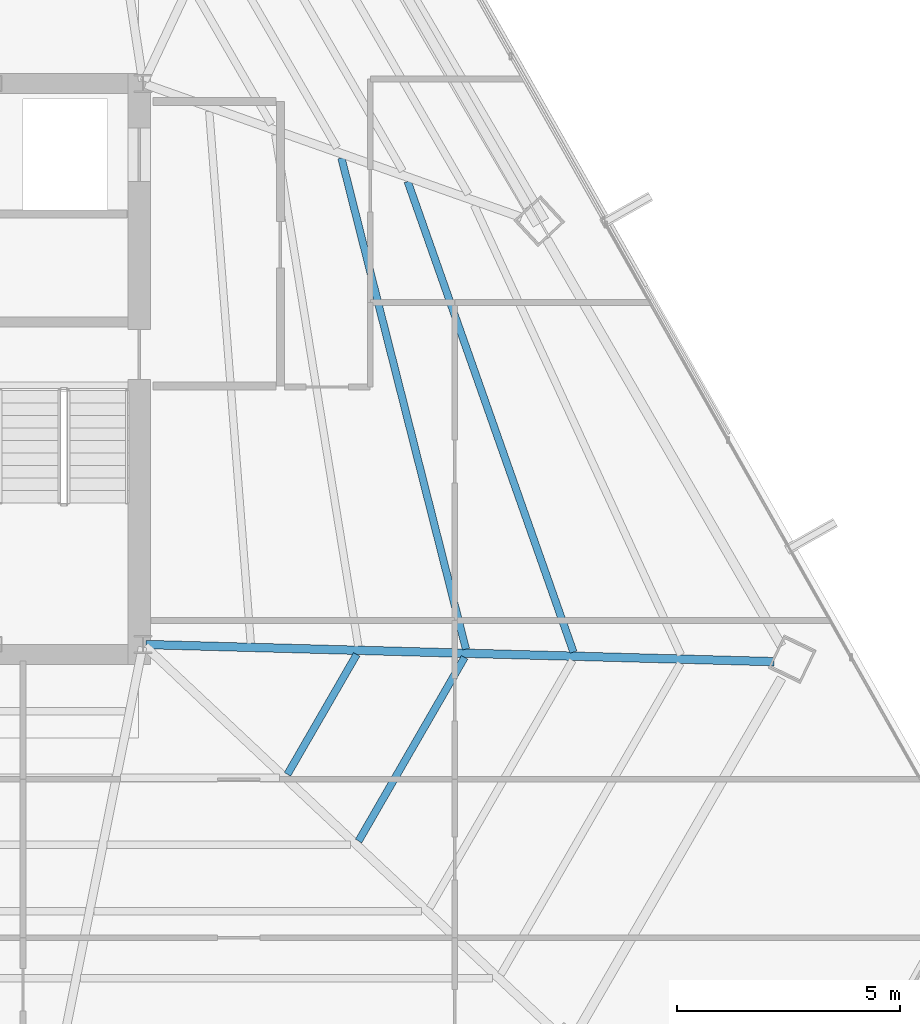
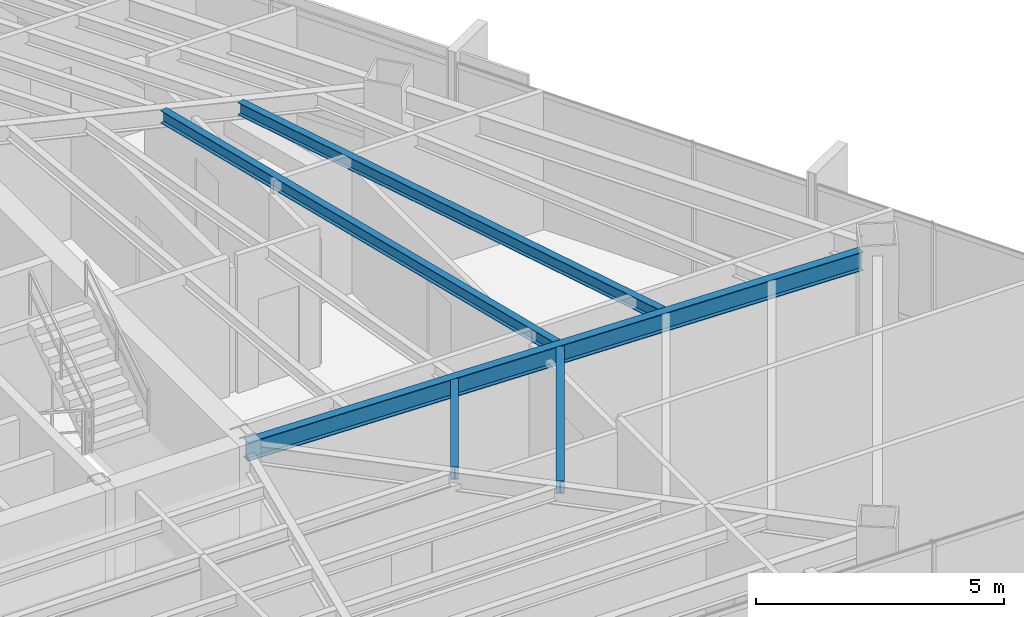
# One storey, part 21 of 42: 5 beams.
"""IFC4 building model written with IfcOpenShell, lengths in metres."""

from ifc_helpers import new_model, si_unit, direction, frame, origin, origin_2d, place, context, subcontext, project, spatial, i_section, extrude, source, transform, mapped, material, material_profile, profile_set, type_object, type_shapes, element, save


model = new_model("IFC4")

# Units and contexts
model_context = context("Model", 3, precision=1e-05, world=origin(), true_north=direction((0.0, 1.0)))
body_context = subcontext(model_context, "Body", "Model", "MODEL_VIEW")
ifc_project = project(units=[si_unit("LENGTHUNIT", "METRE"), si_unit("AREAUNIT", "SQUARE_METRE"), si_unit("VOLUMEUNIT", "CUBIC_METRE"), si_unit("PLANEANGLEUNIT", "RADIAN"), si_unit("MASSUNIT", "GRAM", prefix="KILO")], contexts=[model_context])

# Site, building, storey
site_placement = place(None, origin())
site = spatial("IfcSite", under=ifc_project, at=site_placement, CompositionType="ELEMENT")
building_placement = place(site_placement, origin())
building = spatial("IfcBuilding", under=site, at=building_placement, Name="Caelisora Broadcast Tower", CompositionType="ELEMENT")
storey_placement = place(building_placement, frame((0.0, 0.0, 205.949951171875)))
storey = spatial("IfcBuildingStorey", under=building, at=storey_placement, Name="L54", CompositionType="ELEMENT", Elevation=205.949951171875)

# Beams
ifc_material = material(Name="Steel Grade 350 (AS/NZS 3679.1)", Category="steel")
ifc_material_profile_1 = material_profile(ifc_material, i_section(OverallWidth=0.19091796875, OverallDepth=0.46044921875, WebThickness=0.010009765625, FlangeThickness=0.01611328125, at=origin_2d()), Name="Steel Grade 350 (AS/NZS 3679.1)")
ifc_profile_set_1 = profile_set([ifc_material_profile_1], Name="Steel Grade 350 (AS/NZS 3679.1)")
beam_type_1 = type_object("IfcBeamType", Name="PG06", PredefinedType="BEAM", material=ifc_profile_set_1)
shared_shape_1 = source(origin(), body_context, "Body", "SweptSolid", [
    extrude(i_section(OverallWidth=0.19091796875, OverallDepth=0.46044921875, WebThickness=0.010009765625, FlangeThickness=0.01611328125, at=origin_2d()), origin(), (0.0, 0.0, 1.0), 14.116943359375),
])
type_shapes(beam_type_1, [shared_shape_1])
beam_1_placement = place(storey_placement, frame((45.56005859375, 17.3984375, 3.169921875), z_axis=(0.999627075798, -0.027307678979, 0.0), x_axis=(0.027307678979, 0.999627075798, 0.0)))
element("IfcBeam", 1, at=beam_1_placement, inside=storey, type_object=beam_type_1, Name="L54 beam PG06", PredefinedType="BEAM", context=body_context, shape_type="MappedRepresentation", body=[
    mapped(shared_shape_1, transform((0.0, 0.0, 0.0), scale=1.0)),
])
ifc_material_profile_2 = material_profile(ifc_material, i_section(OverallWidth=0.166015625, OverallDepth=0.30712890625, WebThickness=0.006591796875, FlangeThickness=0.01171875, at=origin_2d()), Name="Steel Grade 350 (AS/NZS 3679.1)")
ifc_profile_set_2 = profile_set([ifc_material_profile_2], Name="Steel Grade 350 (AS/NZS 3679.1)")
beam_type_2 = type_object("IfcBeamType", Name="SB03", PredefinedType="JOIST", material=ifc_profile_set_2)
shared_shape_2 = source(origin(), body_context, "Body", "SweptSolid", [
    extrude(i_section(OverallWidth=0.166015625, OverallDepth=0.30712890625, WebThickness=0.006591796875, FlangeThickness=0.01171875, at=origin_2d()), origin(), (0.0, 0.0, 1.0), 11.37890625),
])
beam_2_placement = place(storey_placement, frame((52.75, 17.294677734375, 3.246337890625), z_axis=(-0.245709757546, 0.969343445352, 0.0), x_axis=(-0.969343445352, -0.245709757546, 0.0)))
element("IfcBeam", 2, at=beam_2_placement, inside=storey, type_object=beam_type_2, Name="L54 beam SB03", PredefinedType="JOIST", context=body_context, shape_type="MappedRepresentation", body=[
    mapped(shared_shape_2, transform((0.0, 0.0, 0.0), scale=1.0)),
])
shared_shape_3 = source(origin(), body_context, "Body", "SweptSolid", [
    extrude(i_section(OverallWidth=0.166015625, OverallDepth=0.30712890625, WebThickness=0.006591796875, FlangeThickness=0.01171875, at=origin_2d()), origin(), (0.0, 0.0, 1.0), 11.20556640625),
])
beam_3_placement = place(storey_placement, frame((55.165283203125, 17.228759765625, 3.246337890625), z_axis=(-0.332281007338, 0.943180434573, 0.0), x_axis=(-0.943180434573, -0.332281007338, 0.0)))
element("IfcBeam", 3, at=beam_3_placement, inside=storey, type_object=beam_type_2, Name="L54 beam SB03", PredefinedType="JOIST", context=body_context, shape_type="MappedRepresentation", body=[
    mapped(shared_shape_3, transform((0.0, 0.0, 0.0), scale=1.0)),
])
shared_shape_4 = source(origin(), body_context, "Body", "SweptSolid", [
    extrude(i_section(OverallWidth=0.166015625, OverallDepth=0.30712890625, WebThickness=0.006591796875, FlangeThickness=0.01171875, at=origin_2d()), origin(), (0.0, 0.0, 1.0), 3.108642578125),
])
beam_4_placement = place(storey_placement, frame((48.7421875, 14.48388671875, 3.246337890625), z_axis=(0.499973998632, 0.866040415161, 0.0), x_axis=(-0.866040415161, 0.499973998632, 0.0)))
element("IfcBeam", 4, at=beam_4_placement, inside=storey, type_object=beam_type_2, Name="L54 beam SB03", PredefinedType="JOIST", context=body_context, shape_type="MappedRepresentation", body=[
    mapped(shared_shape_4, transform((0.0, 0.0, 0.0), scale=1.0)),
])
shared_shape_5 = source(origin(), body_context, "Body", "SweptSolid", [
    extrude(i_section(OverallWidth=0.166015625, OverallDepth=0.30712890625, WebThickness=0.006591796875, FlangeThickness=0.01171875, at=origin_2d()), origin(), (0.0, 0.0, 1.0), 4.76318359375),
])
type_shapes(beam_type_2, [shared_shape_2, shared_shape_3, shared_shape_4, shared_shape_5])
beam_5_placement = place(storey_placement, frame((50.33935546875, 12.98486328125, 3.246337890625), z_axis=(0.500003454086, 0.866023409558, 0.0), x_axis=(-0.866023409558, 0.500003454086, 0.0)))
element("IfcBeam", 5, at=beam_5_placement, inside=storey, type_object=beam_type_2, Name="L54 beam SB03", PredefinedType="JOIST", context=body_context, shape_type="MappedRepresentation", body=[
    mapped(shared_shape_5, transform((0.0, 0.0, 0.0), scale=1.0)),
])

save(model, "model.ifc")
